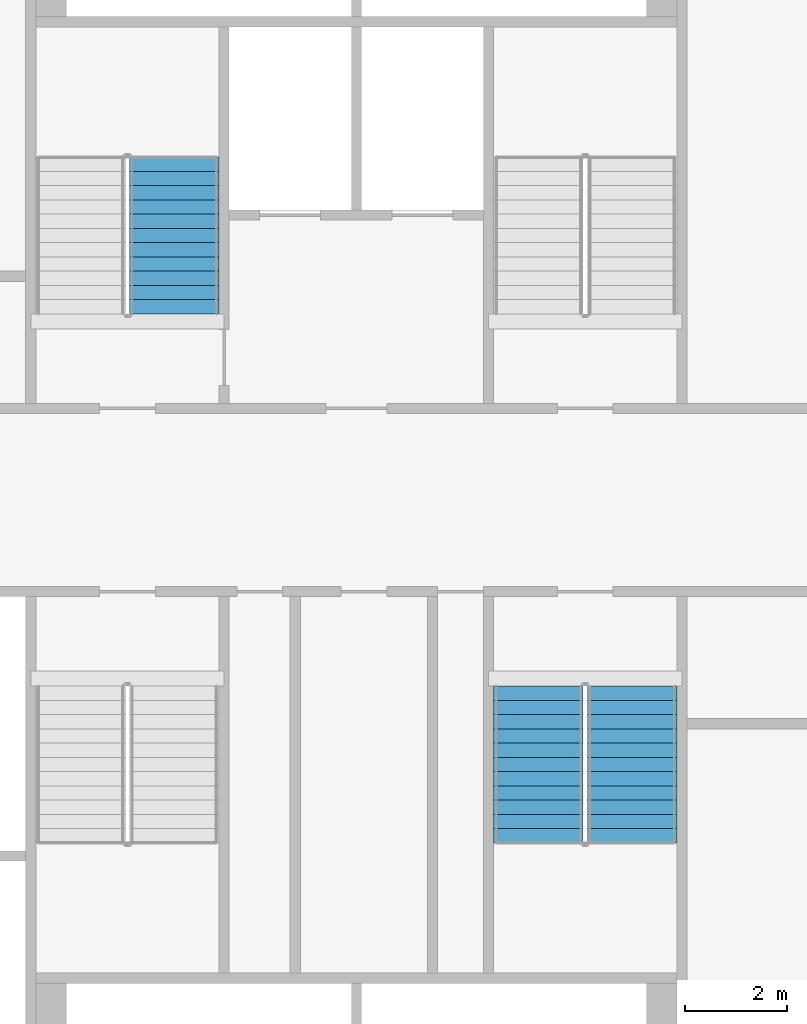
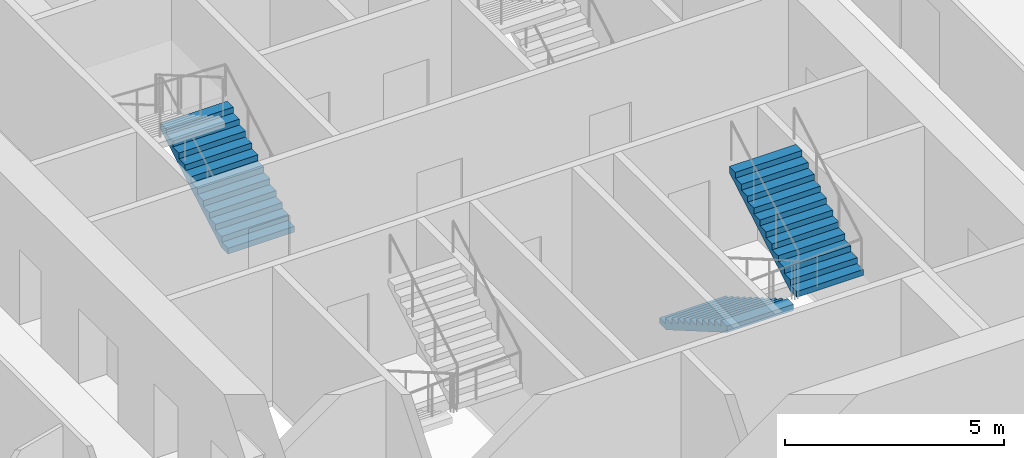
# One storey, part 16 of 23: 3 stair flights, 2 elements without a shape of their own.
"""IFC4 building model written with IfcOpenShell, lengths in metres."""

import ifcopenshell
import ifcopenshell.guid

model = None  # the IFC model being written
_history = None  # IfcOwnerHistory: only IFC2X3 demands one
_inside = {}  # id of a spatial element -> (the spatial element, [elements in it])
_under = {}  # id of a project, library or spatial element -> (it, [spatial elements below it])
_declared = {}  # id of a project -> (the project, [libraries it declares])
_typed = {}  # id of a type object -> (the type object, [elements of that type])
_made_of = {}  # id of a material, layer set ... -> (it, [elements and type objects made of it])


def new_model(schema):
    """Start an empty IFC model of exactly this schema.

    Asked for "IFC4X3", IfcOpenShell would pick the latest addendum, in which some entities
    have other attributes; the version numbers below select the first issue.
    IFC2X3 requires an IfcOwnerHistory on every rooted entity: one is made here for all.
    """
    global model, _history
    if schema == "IFC4X3":
        model = ifcopenshell.file(schema_version=(4, 3, 0, 0))
    else:
        model = ifcopenshell.file(schema=schema)
    _inside.clear()
    _under.clear()
    _declared.clear()
    _typed.clear()
    _made_of.clear()
    _history = None
    if model.schema == "IFC2X3":
        org = make("IfcOrganization", Name="unknown")
        user = make(
            "IfcPersonAndOrganization",
            ThePerson=make("IfcPerson", FamilyName="unknown"),
            TheOrganization=org,
        )
        app = make(
            "IfcApplication",
            ApplicationDeveloper=org,
            Version="unknown",
            ApplicationFullName="unknown",
            ApplicationIdentifier="unknown",
        )
        _history = make(
            "IfcOwnerHistory",
            OwningUser=user,
            OwningApplication=app,
            ChangeAction="ADDED",
            CreationDate=0,
        )
    return model


def make(cls, **values):
    """One entity of the class cls with the attributes given. An attribute that is None is left unset."""
    return model.create_entity(
        cls, **{name: value for name, value in values.items() if value is not None}
    )


def rooted(cls, **values):
    """An entity with a GlobalId (a new one), such as an element, a storey or a relation."""
    return make(cls, GlobalId=ifcopenshell.guid.new(), OwnerHistory=_history, **values)


def si_unit(unit_type, name, prefix=None):
    """IfcSIUnit, for example si_unit("LENGTHUNIT", "METRE", prefix="MILLI")."""
    return make("IfcSIUnit", UnitType=unit_type, Prefix=prefix, Name=name)


def assignment(units):
    """IfcUnitAssignment: the units of a project."""
    return None if units is None else make("IfcUnitAssignment", Units=units)


def point(xyz):
    """IfcCartesianPoint."""
    return None if xyz is None else make("IfcCartesianPoint", Coordinates=xyz)


def direction(xyz):
    """IfcDirection."""
    return None if xyz is None else make("IfcDirection", DirectionRatios=xyz)


def frame(location, z_axis=None, x_axis=None):
    """IfcAxis2Placement3D, a coordinate frame: its origin and axes. An axis left out is left unset."""
    return make(
        "IfcAxis2Placement3D",
        Location=point(location),
        Axis=direction(z_axis),
        RefDirection=direction(x_axis),
    )


def origin():
    """The frame at (0, 0, 0) with its axes left unset."""
    return frame((0.0, 0.0, 0.0))


def place(relative_to, where):
    """IfcLocalPlacement: puts the frame where relative to a parent placement (None: the world)."""
    return make(
        "IfcLocalPlacement", PlacementRelTo=relative_to, RelativePlacement=where
    )


def context(
    kind, dimensions, precision=None, world=None, true_north=None, identifier=None
):
    """IfcGeometricRepresentationContext, for example the 3D "Model" context."""
    return make(
        "IfcGeometricRepresentationContext",
        ContextIdentifier=identifier,
        ContextType=kind,
        CoordinateSpaceDimension=dimensions,
        Precision=precision,
        WorldCoordinateSystem=world,
        TrueNorth=true_north,
    )


def subcontext(parent, identifier, kind, view, scale=None):
    """IfcGeometricRepresentationSubContext, for example "Body" below "Model"."""
    return make(
        "IfcGeometricRepresentationSubContext",
        ContextIdentifier=identifier,
        ContextType=kind,
        ParentContext=parent,
        TargetScale=scale,
        TargetView=view,
    )


def project(units=None, contexts=None):
    """IfcProject with its units and contexts."""
    return rooted(
        "IfcProject",
        Name="project",
        RepresentationContexts=contexts,
        UnitsInContext=assignment(units),
    )


def spatial(cls, under=None, at=None, **own):
    """A site, building, storey or space (cls), placed at a placement, below another one or the project."""
    s = rooted(cls, ObjectPlacement=at, **own)
    if under is not None:
        _under.setdefault(under.id(), (under, []))[1].append(s)
    return s


def faces_of(points, faces, orient=None, outer=None):
    """IfcFace entities. A face is a list of loops; a loop is a list of indices into points, from 0.

    orient and outer hold one flag for each loop. By default every Orientation is true, the
    first loop of a face is its IfcFaceOuterBound and the others are IfcFaceBound.
    """
    made = []
    for i, loops in enumerate(faces):
        bounds = []
        for j, loop in enumerate(loops):
            is_outer = j == 0 if outer is None else outer[i][j]
            bounds.append(
                make(
                    "IfcFaceOuterBound" if is_outer else "IfcFaceBound",
                    Bound=make("IfcPolyLoop", Polygon=[points[k] for k in loop]),
                    Orientation=True if orient is None else orient[i][j],
                )
            )
        made.append(make("IfcFace", Bounds=bounds))
    return made


def faceted_brep(points, faces, orient=None, outer=None, voids=None):
    """IfcFacetedBrep: a solid bounded by flat faces; with voids (closed shells), ...WithVoids."""
    shared = [point(p) for p in points]
    hull = make("IfcClosedShell", CfsFaces=faces_of(shared, faces, orient, outer))
    if voids is None:
        return make("IfcFacetedBrep", Outer=hull)
    return make(
        "IfcFacetedBrepWithVoids",
        Outer=hull,
        Voids=[
            make(cls, CfsFaces=faces_of(shared, fs, o, b)) for cls, fs, o, b in voids
        ],
    )


def shape(context_of_items, identifier, shape_type, items):
    """IfcShapeRepresentation: the items that make up one representation, for example the "Body"."""
    return make(
        "IfcShapeRepresentation",
        ContextOfItems=context_of_items,
        RepresentationIdentifier=identifier,
        RepresentationType=shape_type,
        Items=items,
    )


def material(Name=None, Category=None):
    """IfcMaterial."""
    return make("IfcMaterial", Name=Name, Category=Category)


def made_of(thing, what):
    """Note that an element or type object is made of a material, layer set ...; save() writes the relation."""
    if what is not None:
        _made_of.setdefault(what.id(), (what, []))[1].append(thing)
    return thing


def type_object(cls, material=None, **own):
    """A type object (cls), such as IfcWallType, which elements share."""
    return made_of(rooted(cls, **own), material)


def element(
    cls,
    number,
    at=None,
    inside=None,
    cuts=None,
    type_object=None,
    material=None,
    context=None,
    identifier="Body",
    shape_type=None,
    held_by="IfcProductDefinitionShape",
    body=None,
    shapes=None,
    **own,
):
    """One element of the class cls, such as IfcWall. Its Tag is "e" and its number.

    at: its placement. inside: the storey or other place that contains it. cuts: it is an
    opening in that element (IfcRelVoidsElement). A single representation is given by context,
    identifier, shape_type and body (its items); several are given by shapes. held_by: the class
    of the entity that holds the representations. save() writes the other relations.
    """
    e = rooted(cls, Tag="e%d" % number, ObjectPlacement=at, **own)
    if body is not None:
        shapes = [shape(context, identifier, shape_type, body)]
    if shapes is not None:
        e.Representation = make(held_by, Representations=shapes)
    if inside is not None:
        _inside.setdefault(inside.id(), (inside, []))[1].append(e)
    if cuts is not None:
        rooted(
            "IfcRelVoidsElement", RelatingBuildingElement=cuts, RelatedOpeningElement=e
        )
    if type_object is not None:
        _typed.setdefault(type_object.id(), (type_object, []))[1].append(e)
    return made_of(e, material)


def aggregate(whole, parts):
    """IfcRelAggregates: a whole, such as a stair, and the parts it consists of."""
    return rooted("IfcRelAggregates", RelatingObject=whole, RelatedObjects=parts)


def save(model, path):
    """Write the relations noted so far, then the file.

    IfcRelAggregates (storeys below a building ...), IfcRelContainedInSpatialStructure (elements
    in a storey), IfcRelDefinesByType, IfcRelAssociatesMaterial and IfcRelDeclares: one each for
    every whole, place, type object, material and project.
    """
    for whole, parts in _under.values():
        aggregate(whole, parts)
    for where, things in _inside.values():
        rooted(
            "IfcRelContainedInSpatialStructure",
            RelatedElements=things,
            RelatingStructure=where,
        )
    for kind, things in _typed.values():
        rooted("IfcRelDefinesByType", RelatedObjects=things, RelatingType=kind)
    for what, things in _made_of.values():
        rooted("IfcRelAssociatesMaterial", RelatedObjects=things, RelatingMaterial=what)
    for by, libraries in _declared.values():
        rooted("IfcRelDeclares", RelatingContext=by, RelatedDefinitions=libraries)
    model.write(path)


model = new_model("IFC4")

# Units and contexts
model_context = context("Model", 3, precision=1e-05, world=origin(), true_north=direction((0.0, 1.0)))
body_context = subcontext(model_context, "Body", "Model", "MODEL_VIEW")
ifc_project = project(units=[si_unit("LENGTHUNIT", "METRE"), si_unit("AREAUNIT", "SQUARE_METRE"), si_unit("VOLUMEUNIT", "CUBIC_METRE"), si_unit("PLANEANGLEUNIT", "RADIAN"), si_unit("MASSUNIT", "GRAM", prefix="KILO")], contexts=[model_context])

# Site, building, storey
site_placement = place(None, origin())
site = spatial("IfcSite", under=ifc_project, at=site_placement, CompositionType="ELEMENT")
building_placement = place(site_placement, origin())
building = spatial("IfcBuilding", under=site, at=building_placement, Name="Tarsis Ring Headquarters", CompositionType="ELEMENT")
storey_placement = place(building_placement, frame((0.0, 0.0, 124.0)))
storey = spatial("IfcBuildingStorey", under=building, at=storey_placement, Name="L28", CompositionType="ELEMENT", Elevation=124.0)

# Stair, stair flight
ifc_material_1 = material(Name="Core stair 1760")
stair_type = type_object("IfcStairType", Name="Core stair 1760", PredefinedType="HALF_TURN_STAIR", material=ifc_material_1)
stair_1_placement = place(storey_placement, origin())
stair_1 = element("IfcStair", 1, at=stair_1_placement, inside=storey, type_object=stair_type, Name="L28 Firefighting stair", PredefinedType="HALF_TURN_STAIR")
ifc_material_2 = material(Name="Concrete C40/50", Category="concrete")
stair_flight_type = type_object("IfcStairFlightType", Name="Core stair flight 1760", PredefinedType="STRAIGHT", material=ifc_material_2)
stair_flight_1_placement = place(storey_placement, frame((-3.580078125, 3.659912109375, 0.0), z_axis=(0.0, 0.0, 1.0), x_axis=(0.0, 1.0, 0.0)))
stair_flight_1 = element("IfcStairFlight", 2, at=stair_flight_1_placement, type_object=stair_flight_type, Name="Stair ST1 flight 1", NumberOfRisers=12, NumberOfTreads=11, PredefinedType="STRAIGHT", RiserHeight=0.1625, TreadLength=0.28, context=body_context, shape_type="Brep", body=[
    faceted_brep([(0.0, 0.8798828125, 0.0), (0.0, 0.8798828125, 0.16259765625), (0.280029296875, 0.8798828125, 0.16259765625), (0.280029296875, 0.8798828125, 0.324951171875), (0.56005859375, 0.8798828125, 0.324951171875), (0.56005859375, 0.8798828125, 0.487548828125), (0.840087890625, 0.8798828125, 0.487548828125), (0.840087890625, 0.8798828125, 0.64990234375), (1.1201171875, 0.8798828125, 0.64990234375), (1.1201171875, 0.8798828125, 0.8125), (1.39990234375, 0.8798828125, 0.8125), (1.39990234375, 0.8798828125, 0.97509765625), (1.679931640625, 0.8798828125, 0.97509765625), (1.679931640625, 0.8798828125, 1.137451171875), (1.9599609375, 0.8798828125, 1.137451171875), (1.9599609375, 0.8798828125, 1.300048828125), (2.239990234375, 0.8798828125, 1.300048828125), (2.239990234375, 0.8798828125, 1.46240234375), (2.52001953125, 0.8798828125, 1.46240234375), (2.52001953125, 0.8798828125, 1.625), (2.800048828125, 0.8798828125, 1.625), (2.800048828125, 0.8798828125, 1.78759765625), (3.080078125, 0.8798828125, 1.78759765625), (3.080078125, 0.8798828125, 1.6142578125), (0.298583984375, 0.8798828125, 0.0), (0.298583984375, -0.8798828125, 0.0), (3.080078125, -0.8798828125, 1.6142578125), (3.080078125, -0.8798828125, 1.78759765625), (2.800048828125, -0.8798828125, 1.78759765625), (2.800048828125, -0.8798828125, 1.625), (2.52001953125, -0.8798828125, 1.625), (2.52001953125, -0.8798828125, 1.46240234375), (2.239990234375, -0.8798828125, 1.46240234375), (2.239990234375, -0.8798828125, 1.300048828125), (1.9599609375, -0.8798828125, 1.300048828125), (1.9599609375, -0.8798828125, 1.137451171875), (1.679931640625, -0.8798828125, 1.137451171875), (1.679931640625, -0.8798828125, 0.97509765625), (1.39990234375, -0.8798828125, 0.97509765625), (1.39990234375, -0.8798828125, 0.8125), (1.1201171875, -0.8798828125, 0.8125), (1.1201171875, -0.8798828125, 0.64990234375), (0.840087890625, -0.8798828125, 0.64990234375), (0.840087890625, -0.8798828125, 0.487548828125), (0.56005859375, -0.8798828125, 0.487548828125), (0.56005859375, -0.8798828125, 0.324951171875), (0.280029296875, -0.8798828125, 0.324951171875), (0.280029296875, -0.8798828125, 0.16259765625), (0.0, -0.8798828125, 0.16259765625), (0.0, -0.8798828125, 0.0), (0.0, -0.43994140625, 0.16259765625), (0.0, -0.43994140625, 0.0), (0.0, 0.0, 0.16259765625), (0.0, 0.0, 0.0), (0.0, 0.43994140625, 0.16259765625), (0.0, 0.43994140625, 0.0), (0.280029296875, -0.43994140625, 0.16259765625), (0.280029296875, 0.0, 0.16259765625), (0.280029296875, 0.43994140625, 0.16259765625), (0.280029296875, -0.43994140625, 0.324951171875), (0.280029296875, 0.0, 0.324951171875), (0.280029296875, 0.43994140625, 0.324951171875), (0.56005859375, -0.43994140625, 0.324951171875), (0.56005859375, 0.0, 0.324951171875), (0.56005859375, 0.43994140625, 0.324951171875), (0.56005859375, -0.43994140625, 0.487548828125), (0.56005859375, 0.0, 0.487548828125), (0.56005859375, 0.43994140625, 0.487548828125), (0.840087890625, -0.43994140625, 0.487548828125), (0.840087890625, 0.0, 0.487548828125), (0.840087890625, 0.43994140625, 0.487548828125), (0.840087890625, -0.43994140625, 0.64990234375), (0.840087890625, 0.0, 0.64990234375), (0.840087890625, 0.43994140625, 0.64990234375), (1.1201171875, -0.43994140625, 0.64990234375), (1.1201171875, 0.0, 0.64990234375), (1.1201171875, 0.43994140625, 0.64990234375), (1.1201171875, -0.43994140625, 0.8125), (1.1201171875, 0.0, 0.8125), (1.1201171875, 0.43994140625, 0.8125), (1.39990234375, -0.43994140625, 0.8125), (1.39990234375, 0.0, 0.8125), (1.39990234375, 0.43994140625, 0.8125), (1.39990234375, -0.43994140625, 0.97509765625), (1.39990234375, 0.0, 0.97509765625), (1.39990234375, 0.43994140625, 0.97509765625), (1.679931640625, -0.43994140625, 0.97509765625), (1.679931640625, 0.0, 0.97509765625), (1.679931640625, 0.43994140625, 0.97509765625), (1.679931640625, -0.43994140625, 1.137451171875), (1.679931640625, 0.0, 1.137451171875), (1.679931640625, 0.43994140625, 1.137451171875), (1.9599609375, -0.43994140625, 1.137451171875), (1.9599609375, 0.0, 1.137451171875), (1.9599609375, 0.43994140625, 1.137451171875), (1.9599609375, -0.43994140625, 1.300048828125), (1.9599609375, 0.0, 1.300048828125), (1.9599609375, 0.43994140625, 1.300048828125), (2.239990234375, -0.43994140625, 1.300048828125), (2.239990234375, 0.0, 1.300048828125), (2.239990234375, 0.43994140625, 1.300048828125), (2.239990234375, -0.43994140625, 1.46240234375), (2.239990234375, 0.0, 1.46240234375), (2.239990234375, 0.43994140625, 1.46240234375), (2.52001953125, -0.43994140625, 1.46240234375), (2.52001953125, 0.0, 1.46240234375), (2.52001953125, 0.43994140625, 1.46240234375), (2.52001953125, -0.43994140625, 1.625), (2.52001953125, 0.0, 1.625), (2.52001953125, 0.43994140625, 1.625), (2.800048828125, -0.43994140625, 1.625), (2.800048828125, 0.0, 1.625), (2.800048828125, 0.43994140625, 1.625), (2.800048828125, -0.43994140625, 1.78759765625), (2.800048828125, 0.0, 1.78759765625), (2.800048828125, 0.43994140625, 1.78759765625), (3.080078125, -0.43994140625, 1.78759765625), (3.080078125, 0.0, 1.78759765625), (3.080078125, 0.43994140625, 1.78759765625), (3.080078125, -0.43994140625, 1.6142578125), (3.080078125, 0.0, 1.6142578125), (3.080078125, 0.43994140625, 1.6142578125), (0.298583984375, -0.43994140625, 0.0), (0.298583984375, 0.0, 0.0), (0.298583984375, 0.43994140625, 0.0)], [[[0, 1, 2, 3, 4, 5, 6, 7, 8, 9, 10, 11, 12, 13, 14, 15, 16, 17, 18, 19, 20, 21, 22, 23, 24]], [[25, 26, 27, 28, 29, 30, 31, 32, 33, 34, 35, 36, 37, 38, 39, 40, 41, 42, 43, 44, 45, 46, 47, 48, 49]], [[49, 48, 50, 51]], [[51, 50, 52, 53]], [[53, 52, 54, 55]], [[55, 54, 1, 0]], [[48, 47, 56, 50]], [[50, 56, 57, 52]], [[52, 57, 58, 54]], [[54, 58, 2, 1]], [[47, 46, 59, 56]], [[56, 59, 60, 57]], [[57, 60, 61, 58]], [[58, 61, 3, 2]], [[46, 45, 62, 59]], [[59, 62, 63, 60]], [[60, 63, 64, 61]], [[61, 64, 4, 3]], [[45, 44, 65, 62]], [[62, 65, 66, 63]], [[63, 66, 67, 64]], [[64, 67, 5, 4]], [[44, 43, 68, 65]], [[65, 68, 69, 66]], [[66, 69, 70, 67]], [[67, 70, 6, 5]], [[43, 42, 71, 68]], [[68, 71, 72, 69]], [[69, 72, 73, 70]], [[70, 73, 7, 6]], [[42, 41, 74, 71]], [[71, 74, 75, 72]], [[72, 75, 76, 73]], [[73, 76, 8, 7]], [[41, 40, 77, 74]], [[74, 77, 78, 75]], [[75, 78, 79, 76]], [[76, 79, 9, 8]], [[40, 39, 80, 77]], [[77, 80, 81, 78]], [[78, 81, 82, 79]], [[79, 82, 10, 9]], [[39, 38, 83, 80]], [[80, 83, 84, 81]], [[81, 84, 85, 82]], [[82, 85, 11, 10]], [[38, 37, 86, 83]], [[83, 86, 87, 84]], [[84, 87, 88, 85]], [[85, 88, 12, 11]], [[37, 36, 89, 86]], [[86, 89, 90, 87]], [[87, 90, 91, 88]], [[88, 91, 13, 12]], [[36, 35, 92, 89]], [[89, 92, 93, 90]], [[90, 93, 94, 91]], [[91, 94, 14, 13]], [[35, 34, 95, 92]], [[92, 95, 96, 93]], [[93, 96, 97, 94]], [[94, 97, 15, 14]], [[34, 33, 98, 95]], [[95, 98, 99, 96]], [[96, 99, 100, 97]], [[97, 100, 16, 15]], [[33, 32, 101, 98]], [[98, 101, 102, 99]], [[99, 102, 103, 100]], [[100, 103, 17, 16]], [[32, 31, 104, 101]], [[101, 104, 105, 102]], [[102, 105, 106, 103]], [[103, 106, 18, 17]], [[31, 30, 107, 104]], [[104, 107, 108, 105]], [[105, 108, 109, 106]], [[106, 109, 19, 18]], [[30, 29, 110, 107]], [[107, 110, 111, 108]], [[108, 111, 112, 109]], [[109, 112, 20, 19]], [[29, 28, 113, 110]], [[110, 113, 114, 111]], [[111, 114, 115, 112]], [[112, 115, 21, 20]], [[28, 27, 116, 113]], [[113, 116, 117, 114]], [[114, 117, 118, 115]], [[115, 118, 22, 21]], [[27, 26, 119, 116]], [[116, 119, 120, 117]], [[117, 120, 121, 118]], [[118, 121, 23, 22]], [[26, 25, 122, 119]], [[119, 122, 123, 120]], [[120, 123, 124, 121]], [[121, 124, 24, 23]], [[25, 49, 51, 122]], [[122, 51, 53, 123]], [[123, 53, 55, 124]], [[124, 55, 0, 24]]]),
])
aggregate(stair_1, [stair_flight_1])

# Stair, stair flights
stair_2_placement = place(storey_placement, origin())
stair_2 = element("IfcStair", 3, at=stair_2_placement, inside=storey, type_object=stair_type, Name="L28 Exit stair D", PredefinedType="HALF_TURN_STAIR")
stair_flight_2_placement = place(storey_placement, frame((3.580078125, -3.659912109375, 0.0), z_axis=(0.0, 0.0, 1.0), x_axis=(0.0, -1.0, 0.0)))
stair_flight_2 = element("IfcStairFlight", 4, at=stair_flight_2_placement, type_object=stair_flight_type, Name="Stair ST4 flight 1", NumberOfRisers=12, NumberOfTreads=11, PredefinedType="STRAIGHT", RiserHeight=0.1625, TreadLength=0.28, context=body_context, shape_type="Brep", body=[
    faceted_brep([(0.0, 0.8798828125, 0.0), (0.0, 0.8798828125, 0.16259765625), (0.280029296875, 0.8798828125, 0.16259765625), (0.280029296875, 0.8798828125, 0.324951171875), (0.56005859375, 0.8798828125, 0.324951171875), (0.56005859375, 0.8798828125, 0.487548828125), (0.840087890625, 0.8798828125, 0.487548828125), (0.840087890625, 0.8798828125, 0.64990234375), (1.1201171875, 0.8798828125, 0.64990234375), (1.1201171875, 0.8798828125, 0.8125), (1.39990234375, 0.8798828125, 0.8125), (1.39990234375, 0.8798828125, 0.97509765625), (1.679931640625, 0.8798828125, 0.97509765625), (1.679931640625, 0.8798828125, 1.137451171875), (1.9599609375, 0.8798828125, 1.137451171875), (1.9599609375, 0.8798828125, 1.300048828125), (2.239990234375, 0.8798828125, 1.300048828125), (2.239990234375, 0.8798828125, 1.46240234375), (2.52001953125, 0.8798828125, 1.46240234375), (2.52001953125, 0.8798828125, 1.625), (2.800048828125, 0.8798828125, 1.625), (2.800048828125, 0.8798828125, 1.78759765625), (3.080078125, 0.8798828125, 1.78759765625), (3.080078125, 0.8798828125, 1.6142578125), (0.298583984375, 0.8798828125, 0.0), (0.298583984375, -0.8798828125, 0.0), (3.080078125, -0.8798828125, 1.6142578125), (3.080078125, -0.8798828125, 1.78759765625), (2.800048828125, -0.8798828125, 1.78759765625), (2.800048828125, -0.8798828125, 1.625), (2.52001953125, -0.8798828125, 1.625), (2.52001953125, -0.8798828125, 1.46240234375), (2.239990234375, -0.8798828125, 1.46240234375), (2.239990234375, -0.8798828125, 1.300048828125), (1.9599609375, -0.8798828125, 1.300048828125), (1.9599609375, -0.8798828125, 1.137451171875), (1.679931640625, -0.8798828125, 1.137451171875), (1.679931640625, -0.8798828125, 0.97509765625), (1.39990234375, -0.8798828125, 0.97509765625), (1.39990234375, -0.8798828125, 0.8125), (1.1201171875, -0.8798828125, 0.8125), (1.1201171875, -0.8798828125, 0.64990234375), (0.840087890625, -0.8798828125, 0.64990234375), (0.840087890625, -0.8798828125, 0.487548828125), (0.56005859375, -0.8798828125, 0.487548828125), (0.56005859375, -0.8798828125, 0.324951171875), (0.280029296875, -0.8798828125, 0.324951171875), (0.280029296875, -0.8798828125, 0.16259765625), (0.0, -0.8798828125, 0.16259765625), (0.0, -0.8798828125, 0.0), (0.0, -0.43994140625, 0.16259765625), (0.0, -0.43994140625, 0.0), (0.0, 0.0, 0.16259765625), (0.0, 0.0, 0.0), (0.0, 0.43994140625, 0.16259765625), (0.0, 0.43994140625, 0.0), (0.280029296875, -0.43994140625, 0.16259765625), (0.280029296875, 0.0, 0.16259765625), (0.280029296875, 0.43994140625, 0.16259765625), (0.280029296875, -0.43994140625, 0.324951171875), (0.280029296875, 0.0, 0.324951171875), (0.280029296875, 0.43994140625, 0.324951171875), (0.56005859375, -0.43994140625, 0.324951171875), (0.56005859375, 0.0, 0.324951171875), (0.56005859375, 0.43994140625, 0.324951171875), (0.56005859375, -0.43994140625, 0.487548828125), (0.56005859375, 0.0, 0.487548828125), (0.56005859375, 0.43994140625, 0.487548828125), (0.840087890625, -0.43994140625, 0.487548828125), (0.840087890625, 0.0, 0.487548828125), (0.840087890625, 0.43994140625, 0.487548828125), (0.840087890625, -0.43994140625, 0.64990234375), (0.840087890625, 0.0, 0.64990234375), (0.840087890625, 0.43994140625, 0.64990234375), (1.1201171875, -0.43994140625, 0.64990234375), (1.1201171875, 0.0, 0.64990234375), (1.1201171875, 0.43994140625, 0.64990234375), (1.1201171875, -0.43994140625, 0.8125), (1.1201171875, 0.0, 0.8125), (1.1201171875, 0.43994140625, 0.8125), (1.39990234375, -0.43994140625, 0.8125), (1.39990234375, 0.0, 0.8125), (1.39990234375, 0.43994140625, 0.8125), (1.39990234375, -0.43994140625, 0.97509765625), (1.39990234375, 0.0, 0.97509765625), (1.39990234375, 0.43994140625, 0.97509765625), (1.679931640625, -0.43994140625, 0.97509765625), (1.679931640625, 0.0, 0.97509765625), (1.679931640625, 0.43994140625, 0.97509765625), (1.679931640625, -0.43994140625, 1.137451171875), (1.679931640625, 0.0, 1.137451171875), (1.679931640625, 0.43994140625, 1.137451171875), (1.9599609375, -0.43994140625, 1.137451171875), (1.9599609375, 0.0, 1.137451171875), (1.9599609375, 0.43994140625, 1.137451171875), (1.9599609375, -0.43994140625, 1.300048828125), (1.9599609375, 0.0, 1.300048828125), (1.9599609375, 0.43994140625, 1.300048828125), (2.239990234375, -0.43994140625, 1.300048828125), (2.239990234375, 0.0, 1.300048828125), (2.239990234375, 0.43994140625, 1.300048828125), (2.239990234375, -0.43994140625, 1.46240234375), (2.239990234375, 0.0, 1.46240234375), (2.239990234375, 0.43994140625, 1.46240234375), (2.52001953125, -0.43994140625, 1.46240234375), (2.52001953125, 0.0, 1.46240234375), (2.52001953125, 0.43994140625, 1.46240234375), (2.52001953125, -0.43994140625, 1.625), (2.52001953125, 0.0, 1.625), (2.52001953125, 0.43994140625, 1.625), (2.800048828125, -0.43994140625, 1.625), (2.800048828125, 0.0, 1.625), (2.800048828125, 0.43994140625, 1.625), (2.800048828125, -0.43994140625, 1.78759765625), (2.800048828125, 0.0, 1.78759765625), (2.800048828125, 0.43994140625, 1.78759765625), (3.080078125, -0.43994140625, 1.78759765625), (3.080078125, 0.0, 1.78759765625), (3.080078125, 0.43994140625, 1.78759765625), (3.080078125, -0.43994140625, 1.6142578125), (3.080078125, 0.0, 1.6142578125), (3.080078125, 0.43994140625, 1.6142578125), (0.298583984375, -0.43994140625, 0.0), (0.298583984375, 0.0, 0.0), (0.298583984375, 0.43994140625, 0.0)], [[[0, 1, 2, 3, 4, 5, 6, 7, 8, 9, 10, 11, 12, 13, 14, 15, 16, 17, 18, 19, 20, 21, 22, 23, 24]], [[25, 26, 27, 28, 29, 30, 31, 32, 33, 34, 35, 36, 37, 38, 39, 40, 41, 42, 43, 44, 45, 46, 47, 48, 49]], [[49, 48, 50, 51]], [[51, 50, 52, 53]], [[53, 52, 54, 55]], [[55, 54, 1, 0]], [[48, 47, 56, 50]], [[50, 56, 57, 52]], [[52, 57, 58, 54]], [[54, 58, 2, 1]], [[47, 46, 59, 56]], [[56, 59, 60, 57]], [[57, 60, 61, 58]], [[58, 61, 3, 2]], [[46, 45, 62, 59]], [[59, 62, 63, 60]], [[60, 63, 64, 61]], [[61, 64, 4, 3]], [[45, 44, 65, 62]], [[62, 65, 66, 63]], [[63, 66, 67, 64]], [[64, 67, 5, 4]], [[44, 43, 68, 65]], [[65, 68, 69, 66]], [[66, 69, 70, 67]], [[67, 70, 6, 5]], [[43, 42, 71, 68]], [[68, 71, 72, 69]], [[69, 72, 73, 70]], [[70, 73, 7, 6]], [[42, 41, 74, 71]], [[71, 74, 75, 72]], [[72, 75, 76, 73]], [[73, 76, 8, 7]], [[41, 40, 77, 74]], [[74, 77, 78, 75]], [[75, 78, 79, 76]], [[76, 79, 9, 8]], [[40, 39, 80, 77]], [[77, 80, 81, 78]], [[78, 81, 82, 79]], [[79, 82, 10, 9]], [[39, 38, 83, 80]], [[80, 83, 84, 81]], [[81, 84, 85, 82]], [[82, 85, 11, 10]], [[38, 37, 86, 83]], [[83, 86, 87, 84]], [[84, 87, 88, 85]], [[85, 88, 12, 11]], [[37, 36, 89, 86]], [[86, 89, 90, 87]], [[87, 90, 91, 88]], [[88, 91, 13, 12]], [[36, 35, 92, 89]], [[89, 92, 93, 90]], [[90, 93, 94, 91]], [[91, 94, 14, 13]], [[35, 34, 95, 92]], [[92, 95, 96, 93]], [[93, 96, 97, 94]], [[94, 97, 15, 14]], [[34, 33, 98, 95]], [[95, 98, 99, 96]], [[96, 99, 100, 97]], [[97, 100, 16, 15]], [[33, 32, 101, 98]], [[98, 101, 102, 99]], [[99, 102, 103, 100]], [[100, 103, 17, 16]], [[32, 31, 104, 101]], [[101, 104, 105, 102]], [[102, 105, 106, 103]], [[103, 106, 18, 17]], [[31, 30, 107, 104]], [[104, 107, 108, 105]], [[105, 108, 109, 106]], [[106, 109, 19, 18]], [[30, 29, 110, 107]], [[107, 110, 111, 108]], [[108, 111, 112, 109]], [[109, 112, 20, 19]], [[29, 28, 113, 110]], [[110, 113, 114, 111]], [[111, 114, 115, 112]], [[112, 115, 21, 20]], [[28, 27, 116, 113]], [[113, 116, 117, 114]], [[114, 117, 118, 115]], [[115, 118, 22, 21]], [[27, 26, 119, 116]], [[116, 119, 120, 117]], [[117, 120, 121, 118]], [[118, 121, 23, 22]], [[26, 25, 122, 119]], [[119, 122, 123, 120]], [[120, 123, 124, 121]], [[121, 124, 24, 23]], [[25, 49, 51, 122]], [[122, 51, 53, 123]], [[123, 53, 55, 124]], [[124, 55, 0, 24]]]),
])
stair_flight_3_placement = place(storey_placement, frame((5.419921875, -6.739990234375, 1.949951171875), z_axis=(0.0, 0.0, 1.0), x_axis=(0.0, 1.0, 0.0)))
stair_flight_3 = element("IfcStairFlight", 5, at=stair_flight_3_placement, type_object=stair_flight_type, Name="Stair ST4 flight 2", NumberOfRisers=12, NumberOfTreads=11, PredefinedType="STRAIGHT", RiserHeight=0.1625, TreadLength=0.28, context=body_context, shape_type="Brep", body=[
    faceted_brep([(0.0, 0.8798828125, 0.0), (0.0, 0.8798828125, 0.16259765625), (0.280029296875, 0.8798828125, 0.16259765625), (0.280029296875, 0.8798828125, 0.324951171875), (0.56005859375, 0.8798828125, 0.324951171875), (0.56005859375, 0.8798828125, 0.487548828125), (0.840087890625, 0.8798828125, 0.487548828125), (0.840087890625, 0.8798828125, 0.64990234375), (1.1201171875, 0.8798828125, 0.64990234375), (1.1201171875, 0.8798828125, 0.8125), (1.39990234375, 0.8798828125, 0.8125), (1.39990234375, 0.8798828125, 0.97509765625), (1.679931640625, 0.8798828125, 0.97509765625), (1.679931640625, 0.8798828125, 1.137451171875), (1.9599609375, 0.8798828125, 1.137451171875), (1.9599609375, 0.8798828125, 1.300048828125), (2.239990234375, 0.8798828125, 1.300048828125), (2.239990234375, 0.8798828125, 1.46240234375), (2.52001953125, 0.8798828125, 1.46240234375), (2.52001953125, 0.8798828125, 1.625), (2.800048828125, 0.8798828125, 1.625), (2.800048828125, 0.8798828125, 1.78759765625), (3.080078125, 0.8798828125, 1.78759765625), (3.080078125, 0.8798828125, 1.6142578125), (0.298583984375, 0.8798828125, 0.0), (0.298583984375, -0.8798828125, 0.0), (3.080078125, -0.8798828125, 1.6142578125), (3.080078125, -0.8798828125, 1.78759765625), (2.800048828125, -0.8798828125, 1.78759765625), (2.800048828125, -0.8798828125, 1.625), (2.52001953125, -0.8798828125, 1.625), (2.52001953125, -0.8798828125, 1.46240234375), (2.239990234375, -0.8798828125, 1.46240234375), (2.239990234375, -0.8798828125, 1.300048828125), (1.9599609375, -0.8798828125, 1.300048828125), (1.9599609375, -0.8798828125, 1.137451171875), (1.679931640625, -0.8798828125, 1.137451171875), (1.679931640625, -0.8798828125, 0.97509765625), (1.39990234375, -0.8798828125, 0.97509765625), (1.39990234375, -0.8798828125, 0.8125), (1.1201171875, -0.8798828125, 0.8125), (1.1201171875, -0.8798828125, 0.64990234375), (0.840087890625, -0.8798828125, 0.64990234375), (0.840087890625, -0.8798828125, 0.487548828125), (0.56005859375, -0.8798828125, 0.487548828125), (0.56005859375, -0.8798828125, 0.324951171875), (0.280029296875, -0.8798828125, 0.324951171875), (0.280029296875, -0.8798828125, 0.16259765625), (0.0, -0.8798828125, 0.16259765625), (0.0, -0.8798828125, 0.0), (0.0, -0.43994140625, 0.16259765625), (0.0, -0.43994140625, 0.0), (0.0, 0.0, 0.16259765625), (0.0, 0.0, 0.0), (0.0, 0.43994140625, 0.16259765625), (0.0, 0.43994140625, 0.0), (0.280029296875, -0.43994140625, 0.16259765625), (0.280029296875, 0.0, 0.16259765625), (0.280029296875, 0.43994140625, 0.16259765625), (0.280029296875, -0.43994140625, 0.324951171875), (0.280029296875, 0.0, 0.324951171875), (0.280029296875, 0.43994140625, 0.324951171875), (0.56005859375, -0.43994140625, 0.324951171875), (0.56005859375, 0.0, 0.324951171875), (0.56005859375, 0.43994140625, 0.324951171875), (0.56005859375, -0.43994140625, 0.487548828125), (0.56005859375, 0.0, 0.487548828125), (0.56005859375, 0.43994140625, 0.487548828125), (0.840087890625, -0.43994140625, 0.487548828125), (0.840087890625, 0.0, 0.487548828125), (0.840087890625, 0.43994140625, 0.487548828125), (0.840087890625, -0.43994140625, 0.64990234375), (0.840087890625, 0.0, 0.64990234375), (0.840087890625, 0.43994140625, 0.64990234375), (1.1201171875, -0.43994140625, 0.64990234375), (1.1201171875, 0.0, 0.64990234375), (1.1201171875, 0.43994140625, 0.64990234375), (1.1201171875, -0.43994140625, 0.8125), (1.1201171875, 0.0, 0.8125), (1.1201171875, 0.43994140625, 0.8125), (1.39990234375, -0.43994140625, 0.8125), (1.39990234375, 0.0, 0.8125), (1.39990234375, 0.43994140625, 0.8125), (1.39990234375, -0.43994140625, 0.97509765625), (1.39990234375, 0.0, 0.97509765625), (1.39990234375, 0.43994140625, 0.97509765625), (1.679931640625, -0.43994140625, 0.97509765625), (1.679931640625, 0.0, 0.97509765625), (1.679931640625, 0.43994140625, 0.97509765625), (1.679931640625, -0.43994140625, 1.137451171875), (1.679931640625, 0.0, 1.137451171875), (1.679931640625, 0.43994140625, 1.137451171875), (1.9599609375, -0.43994140625, 1.137451171875), (1.9599609375, 0.0, 1.137451171875), (1.9599609375, 0.43994140625, 1.137451171875), (1.9599609375, -0.43994140625, 1.300048828125), (1.9599609375, 0.0, 1.300048828125), (1.9599609375, 0.43994140625, 1.300048828125), (2.239990234375, -0.43994140625, 1.300048828125), (2.239990234375, 0.0, 1.300048828125), (2.239990234375, 0.43994140625, 1.300048828125), (2.239990234375, -0.43994140625, 1.46240234375), (2.239990234375, 0.0, 1.46240234375), (2.239990234375, 0.43994140625, 1.46240234375), (2.52001953125, -0.43994140625, 1.46240234375), (2.52001953125, 0.0, 1.46240234375), (2.52001953125, 0.43994140625, 1.46240234375), (2.52001953125, -0.43994140625, 1.625), (2.52001953125, 0.0, 1.625), (2.52001953125, 0.43994140625, 1.625), (2.800048828125, -0.43994140625, 1.625), (2.800048828125, 0.0, 1.625), (2.800048828125, 0.43994140625, 1.625), (2.800048828125, -0.43994140625, 1.78759765625), (2.800048828125, 0.0, 1.78759765625), (2.800048828125, 0.43994140625, 1.78759765625), (3.080078125, -0.43994140625, 1.78759765625), (3.080078125, 0.0, 1.78759765625), (3.080078125, 0.43994140625, 1.78759765625), (3.080078125, -0.43994140625, 1.6142578125), (3.080078125, 0.0, 1.6142578125), (3.080078125, 0.43994140625, 1.6142578125), (0.298583984375, -0.43994140625, 0.0), (0.298583984375, 0.0, 0.0), (0.298583984375, 0.43994140625, 0.0)], [[[0, 1, 2, 3, 4, 5, 6, 7, 8, 9, 10, 11, 12, 13, 14, 15, 16, 17, 18, 19, 20, 21, 22, 23, 24]], [[25, 26, 27, 28, 29, 30, 31, 32, 33, 34, 35, 36, 37, 38, 39, 40, 41, 42, 43, 44, 45, 46, 47, 48, 49]], [[49, 48, 50, 51]], [[51, 50, 52, 53]], [[53, 52, 54, 55]], [[55, 54, 1, 0]], [[48, 47, 56, 50]], [[50, 56, 57, 52]], [[52, 57, 58, 54]], [[54, 58, 2, 1]], [[47, 46, 59, 56]], [[56, 59, 60, 57]], [[57, 60, 61, 58]], [[58, 61, 3, 2]], [[46, 45, 62, 59]], [[59, 62, 63, 60]], [[60, 63, 64, 61]], [[61, 64, 4, 3]], [[45, 44, 65, 62]], [[62, 65, 66, 63]], [[63, 66, 67, 64]], [[64, 67, 5, 4]], [[44, 43, 68, 65]], [[65, 68, 69, 66]], [[66, 69, 70, 67]], [[67, 70, 6, 5]], [[43, 42, 71, 68]], [[68, 71, 72, 69]], [[69, 72, 73, 70]], [[70, 73, 7, 6]], [[42, 41, 74, 71]], [[71, 74, 75, 72]], [[72, 75, 76, 73]], [[73, 76, 8, 7]], [[41, 40, 77, 74]], [[74, 77, 78, 75]], [[75, 78, 79, 76]], [[76, 79, 9, 8]], [[40, 39, 80, 77]], [[77, 80, 81, 78]], [[78, 81, 82, 79]], [[79, 82, 10, 9]], [[39, 38, 83, 80]], [[80, 83, 84, 81]], [[81, 84, 85, 82]], [[82, 85, 11, 10]], [[38, 37, 86, 83]], [[83, 86, 87, 84]], [[84, 87, 88, 85]], [[85, 88, 12, 11]], [[37, 36, 89, 86]], [[86, 89, 90, 87]], [[87, 90, 91, 88]], [[88, 91, 13, 12]], [[36, 35, 92, 89]], [[89, 92, 93, 90]], [[90, 93, 94, 91]], [[91, 94, 14, 13]], [[35, 34, 95, 92]], [[92, 95, 96, 93]], [[93, 96, 97, 94]], [[94, 97, 15, 14]], [[34, 33, 98, 95]], [[95, 98, 99, 96]], [[96, 99, 100, 97]], [[97, 100, 16, 15]], [[33, 32, 101, 98]], [[98, 101, 102, 99]], [[99, 102, 103, 100]], [[100, 103, 17, 16]], [[32, 31, 104, 101]], [[101, 104, 105, 102]], [[102, 105, 106, 103]], [[103, 106, 18, 17]], [[31, 30, 107, 104]], [[104, 107, 108, 105]], [[105, 108, 109, 106]], [[106, 109, 19, 18]], [[30, 29, 110, 107]], [[107, 110, 111, 108]], [[108, 111, 112, 109]], [[109, 112, 20, 19]], [[29, 28, 113, 110]], [[110, 113, 114, 111]], [[111, 114, 115, 112]], [[112, 115, 21, 20]], [[28, 27, 116, 113]], [[113, 116, 117, 114]], [[114, 117, 118, 115]], [[115, 118, 22, 21]], [[27, 26, 119, 116]], [[116, 119, 120, 117]], [[117, 120, 121, 118]], [[118, 121, 23, 22]], [[26, 25, 122, 119]], [[119, 122, 123, 120]], [[120, 123, 124, 121]], [[121, 124, 24, 23]], [[25, 49, 51, 122]], [[122, 51, 53, 123]], [[123, 53, 55, 124]], [[124, 55, 0, 24]]]),
])
aggregate(stair_2, [stair_flight_2, stair_flight_3])

save(model, "model.ifc")
